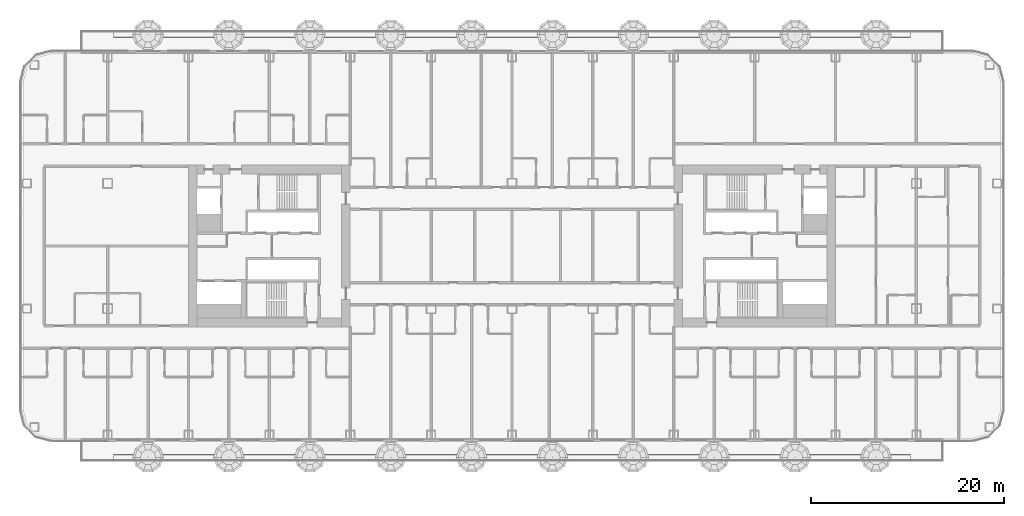
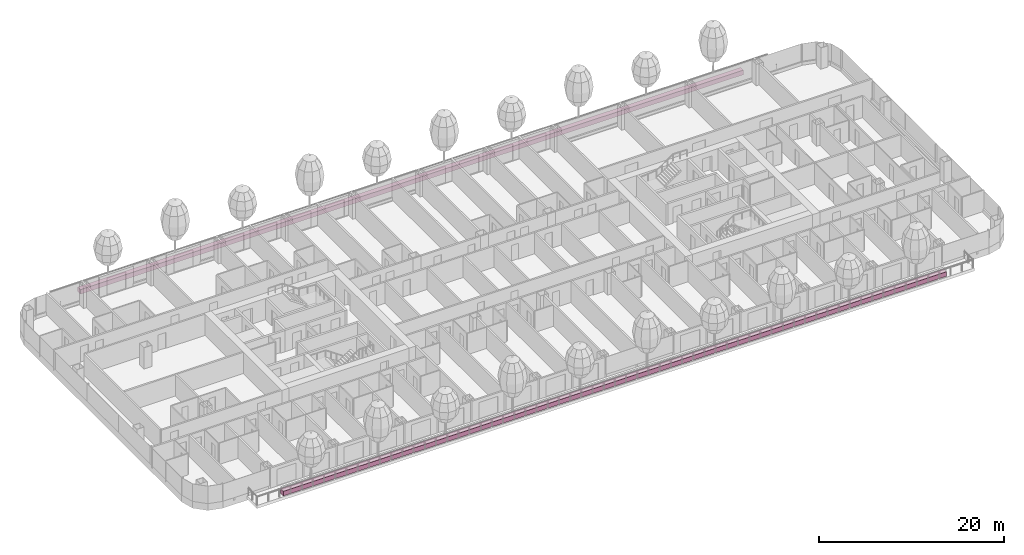
# One storey, part 32 of 37: 2 furniture elements.
"""IFC4 building model written with IfcOpenShell, lengths in metres."""

from ifc_helpers import new_model, si_unit, direction, frame, origin, origin_2d, place, context, subcontext, project, spatial, rectangle, extrude, material, type_object, element, save


model = new_model("IFC4")

# Units and contexts
model_context = context("Model", 3, precision=1e-05, world=origin(), true_north=direction((0.0, 1.0)))
body_context = subcontext(model_context, "Body", "Model", "MODEL_VIEW")
ifc_project = project(units=[si_unit("LENGTHUNIT", "METRE"), si_unit("AREAUNIT", "SQUARE_METRE"), si_unit("VOLUMEUNIT", "CUBIC_METRE"), si_unit("PLANEANGLEUNIT", "RADIAN"), si_unit("MASSUNIT", "GRAM", prefix="KILO")], contexts=[model_context])

# Site, building, storey
site_placement = place(None, origin())
site = spatial("IfcSite", under=ifc_project, at=site_placement, CompositionType="ELEMENT")
building_placement = place(site_placement, origin())
building = spatial("IfcBuilding", under=site, at=building_placement, Name="Hakoniwa Tower and Hamabe Station Hall", CompositionType="ELEMENT")
storey_placement = place(building_placement, frame((0.0, 0.0, 39.0)))
storey = spatial("IfcBuildingStorey", under=building, at=storey_placement, Name="L10", CompositionType="ELEMENT", Elevation=39.0)

# Furniture
ifc_material = material(Name="Aluminium 6063-T5 black anodised trough with lightweight soil", Category="aluminium")
furniture_type = type_object("IfcFurnitureType", Name="Planter 600x600", AssemblyPlace="SITE", PredefinedType="USERDEFINED", material=ifc_material)
for number, where, z_axis, x_axis, name in (
    (1, (0.0, 21.949951171875, 0.0), (0.0, 0.0, 1.0), (1.0, 0.0, 0.0), "Planter 600x600"),
    (2, (0.0, -21.949951171875, 0.0), (0.0, 0.0, 1.0), (1.0, 0.0, 0.0), "Planter 600x600"),
):
    element("IfcFurniture", number, at=place(storey_placement, frame(where, z_axis=z_axis, x_axis=x_axis)), inside=storey, type_object=furniture_type, Name=name, ObjectType="PLANTER", PredefinedType="USERDEFINED", context=body_context, shape_type="SweptSolid", body=[
        extrude(rectangle(XDim=82.800048828125, YDim=0.60009765625, at=origin_2d()), origin(), (0.0, 0.0, 1.0), 0.60009765625),
    ])

save(model, "model.ifc")
